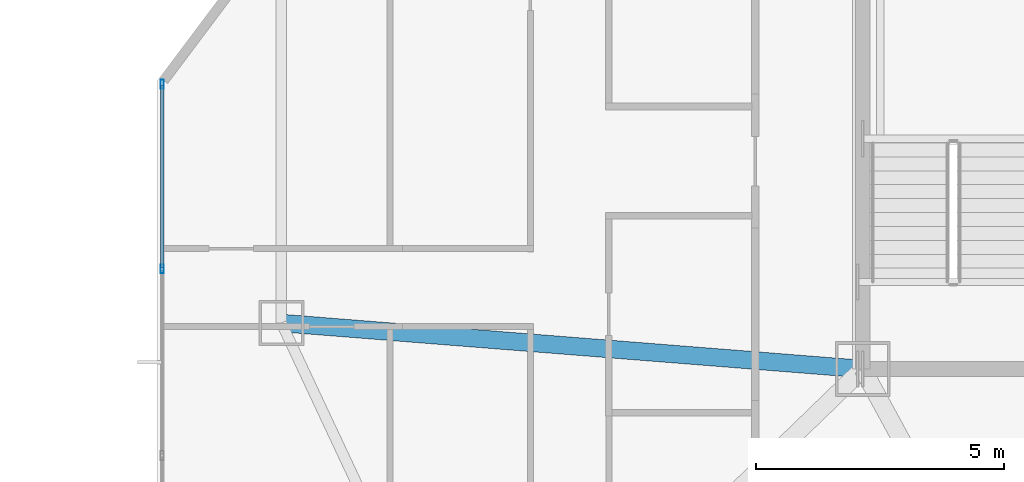
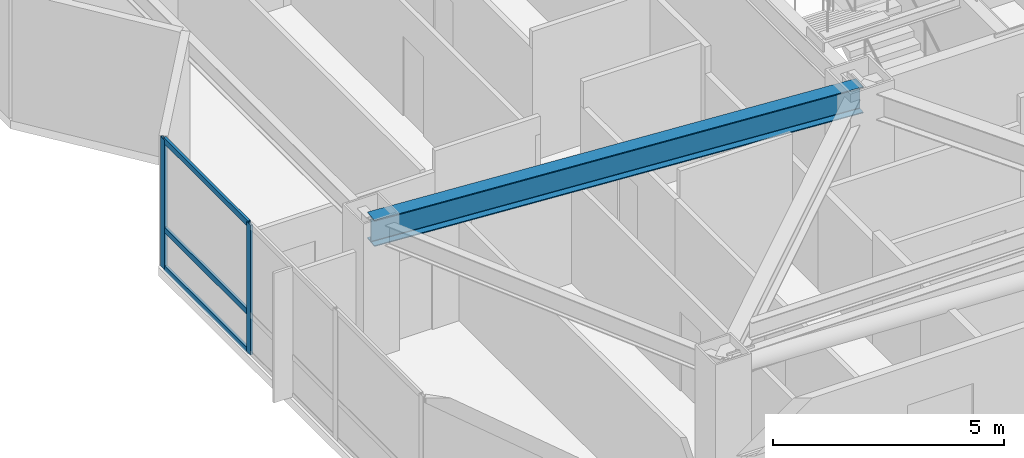
# One storey, part 4 of 16: 5 members, 1 beam, 1 element without a shape of its own.
"""IFC4 building model written with IfcOpenShell, lengths in metres."""

from ifc_helpers import new_model, si_unit, direction, frame, origin, origin_2d, place, context, subcontext, project, spatial, hollow_rectangle, i_section, extrude, material, material_profile, profile_set, type_object, element, aggregate, save


model = new_model("IFC4")

# Units and contexts
model_context = context("Model", 3, precision=1e-05, world=origin(), true_north=direction((0.0, 1.0)))
body_context = subcontext(model_context, "Body", "Model", "MODEL_VIEW")
ifc_project = project(units=[si_unit("LENGTHUNIT", "METRE"), si_unit("AREAUNIT", "SQUARE_METRE"), si_unit("VOLUMEUNIT", "CUBIC_METRE"), si_unit("PLANEANGLEUNIT", "RADIAN"), si_unit("MASSUNIT", "GRAM", prefix="KILO")], contexts=[model_context])

# Site, building, storey
site_placement = place(None, origin())
site = spatial("IfcSite", under=ifc_project, at=site_placement, CompositionType="ELEMENT")
building_placement = place(site_placement, origin())
building = spatial("IfcBuilding", under=site, at=building_placement, Name="Khamvora Tower", CompositionType="ELEMENT")
storey_placement = place(building_placement, frame((0.0, 0.0, 170.5)))
storey = spatial("IfcBuildingStorey", under=building, at=storey_placement, Name="L43", CompositionType="ELEMENT", Elevation=170.5)

# Beam
ifc_material_1 = material(Name="Steel S355", Category="steel")
ifc_material_profile_1 = material_profile(ifc_material_1, i_section(OverallWidth=0.35498046875, OverallDepth=0.695068359375, WebThickness=0.014892578125, FlangeThickness=0.02490234375, FilletRadius=0.01611328125, at=origin_2d()), Name="W690x217")
ifc_profile_set_1 = profile_set([ifc_material_profile_1], Name="Steel S355")
beam_type = type_object("IfcBeamType", Name="BM-PG-W690x217", PredefinedType="BEAM", material=ifc_profile_set_1)
beam_placement = place(storey_placement, frame((29.0, 19.0, 3.0830078125), z_axis=(-0.996888993668, 0.078818362728, 0.0), x_axis=(-0.078818362728, -0.996888993668, 0.0)))
element("IfcBeam", 1, at=beam_placement, inside=storey, type_object=beam_type, Name="L43 primary floor girder W1", PredefinedType="BEAM", context=body_context, shape_type="SweptSolid", body=[
    extrude(i_section(OverallWidth=0.35498046875, OverallDepth=0.695068359375, WebThickness=0.014892578125, FlangeThickness=0.02490234375, FilletRadius=0.01611328125, at=origin_2d()), origin(), (0.0, 0.0, 1.0), 11.736572265625),
])

# Curtain wall, members
ifc_material_2 = material(Name="Anodised Aluminium 6063-T6", Category="aluminium")
curtain_wall_type = type_object("IfcCurtainWallType", Name="CW-SYS-04", PredefinedType="NOTDEFINED", material=ifc_material_2)
curtain_wall_placement = place(storey_placement, origin())
curtain_wall = element("IfcCurtainWall", 2, at=curtain_wall_placement, inside=storey, type_object=curtain_wall_type, Name="L43 stick curtain wall 02.1", PredefinedType="NOTDEFINED")
ifc_material_profile_2 = material_profile(ifc_material_2, hollow_rectangle(XDim=0.06494140625, YDim=0.179931640625, WallThickness=0.0048828125, at=origin_2d()), Name="MUL65x180x5")
ifc_profile_set_2 = profile_set([ifc_material_profile_2], Name="Anodised Aluminium 6063-T6")
member_type_1 = type_object("IfcMemberType", Name="CW-SYS-04-MUL", PredefinedType="MULLION", material=ifc_profile_set_2)
member_1_placement = place(storey_placement, frame((14.89990234375, 21.0126953125, 0.0), z_axis=(0.0, 0.0, 1.0), x_axis=(-1.0, 0.0, 0.0)))
member_1 = element("IfcMember", 3, at=member_1_placement, type_object=member_type_1, Name="CW-04 mullion 3", PredefinedType="MULLION", context=body_context, shape_type="SweptSolid", body=[
    extrude(hollow_rectangle(XDim=0.06494140625, YDim=0.179931640625, WallThickness=0.0048828125, at=origin_2d()), origin(), (0.0, 0.0, 1.0), 3.429931640625),
])
member_2_placement = place(storey_placement, frame((14.89990234375, 24.734619140625, 0.0), z_axis=(0.0, 0.0, 1.0), x_axis=(-1.0, 0.0, 0.0)))
member_2 = element("IfcMember", 4, at=member_2_placement, type_object=member_type_1, Name="CW-04 mullion 4", PredefinedType="MULLION", context=body_context, shape_type="SweptSolid", body=[
    extrude(hollow_rectangle(XDim=0.06494140625, YDim=0.179931640625, WallThickness=0.0048828125, at=origin_2d()), origin(), (0.0, 0.0, 1.0), 3.429931640625),
])
ifc_material_profile_3 = material_profile(ifc_material_2, hollow_rectangle(XDim=0.06494140625, YDim=0.14990234375, WallThickness=0.0048828125, at=origin_2d()), Name="TRN65x150x5")
ifc_profile_set_3 = profile_set([ifc_material_profile_3], Name="Anodised Aluminium 6063-T6")
member_type_2 = type_object("IfcMemberType", Name="CW-SYS-04-TRN", PredefinedType="USERDEFINED", material=ifc_profile_set_3)
member_3_placement = place(storey_placement, frame((14.89990234375, 21.045166015625, 0.032470703125), z_axis=(0.0, 1.0, 0.0), x_axis=(-1.0, 0.0, 0.0)))
member_3 = element("IfcMember", 5, at=member_3_placement, type_object=member_type_2, Name="CW-04 transom 3.1", ObjectType="TRANSOM", PredefinedType="USERDEFINED", context=body_context, shape_type="SweptSolid", body=[
    extrude(hollow_rectangle(XDim=0.06494140625, YDim=0.14990234375, WallThickness=0.0048828125, at=origin_2d()), origin(), (0.0, 0.0, 1.0), 3.65673828125),
])
member_4_placement = place(storey_placement, frame((14.89990234375, 21.045166015625, 1.050048828125), z_axis=(0.0, 1.0, 0.0), x_axis=(-1.0, 0.0, 0.0)))
member_4 = element("IfcMember", 6, at=member_4_placement, type_object=member_type_2, Name="CW-04 transom 3.2", ObjectType="TRANSOM", PredefinedType="USERDEFINED", context=body_context, shape_type="SweptSolid", body=[
    extrude(hollow_rectangle(XDim=0.06494140625, YDim=0.14990234375, WallThickness=0.0048828125, at=origin_2d()), origin(), (0.0, 0.0, 1.0), 3.65673828125),
])
member_5_placement = place(storey_placement, frame((14.89990234375, 21.045166015625, 3.3974609375), z_axis=(0.0, 1.0, 0.0), x_axis=(-1.0, 0.0, 0.0)))
member_5 = element("IfcMember", 7, at=member_5_placement, type_object=member_type_2, Name="CW-04 transom 3.3", ObjectType="TRANSOM", PredefinedType="USERDEFINED", context=body_context, shape_type="SweptSolid", body=[
    extrude(hollow_rectangle(XDim=0.06494140625, YDim=0.14990234375, WallThickness=0.0048828125, at=origin_2d()), origin(), (0.0, 0.0, 1.0), 3.65673828125),
])
aggregate(curtain_wall, [member_1, member_2, member_3, member_4, member_5])

save(model, "model.ifc")
